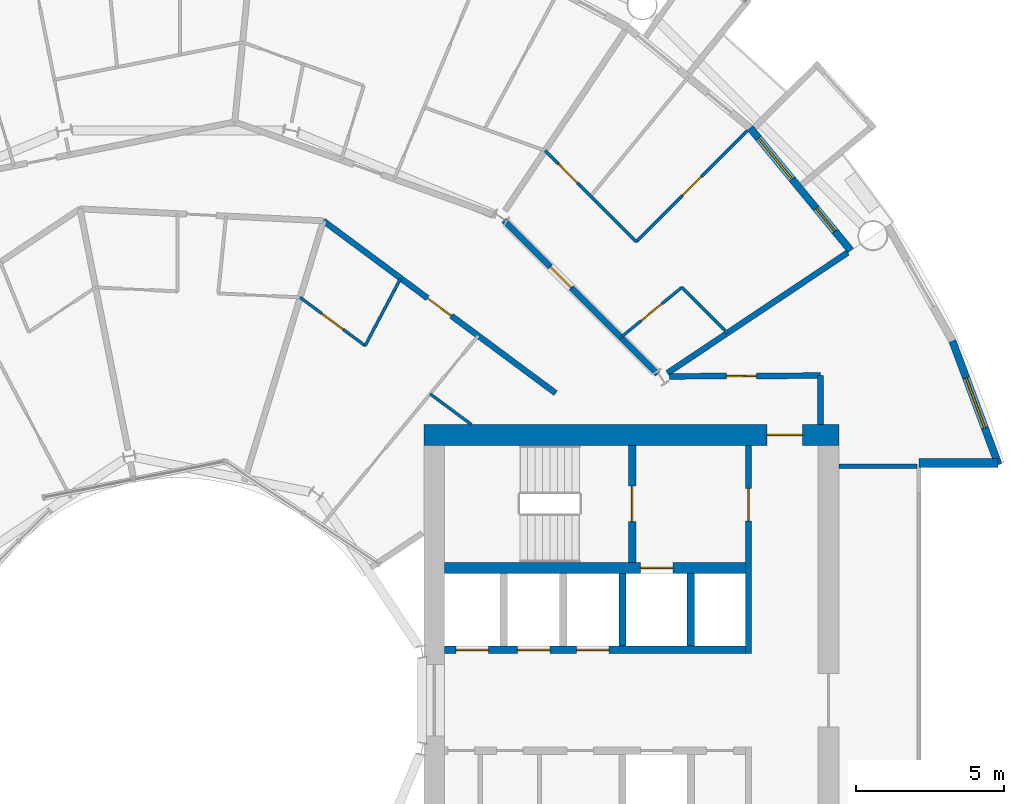
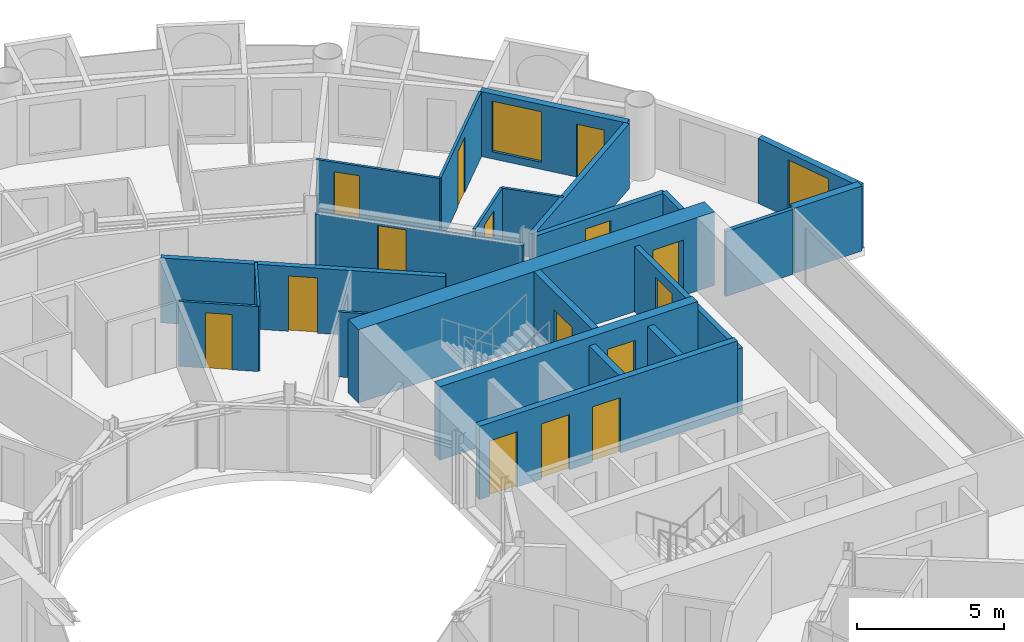
# One storey, part 21 of 26: 23 walls, 15 doors, 2 windows, 17 openings.
"""IFC4 building model written with IfcOpenShell, lengths in metres."""

from ifc_helpers import new_model, si_unit, direction, frame, frame_2d, origin, place, context, subcontext, project, spatial, rectangle, extrude, material, layer, layer_set, type_object, element, fill, save


model = new_model("IFC4")

# Units and contexts
model_context = context("Model", 3, precision=1e-05, world=origin(), true_north=direction((0.0, 1.0)))
body_context = subcontext(model_context, "Body", "Model", "MODEL_VIEW")
ifc_project = project(units=[si_unit("LENGTHUNIT", "METRE"), si_unit("AREAUNIT", "SQUARE_METRE"), si_unit("VOLUMEUNIT", "CUBIC_METRE"), si_unit("PLANEANGLEUNIT", "RADIAN"), si_unit("MASSUNIT", "GRAM", prefix="KILO")], contexts=[model_context])

# Site, building, storey
site_placement = place(None, origin())
site = spatial("IfcSite", under=ifc_project, at=site_placement, CompositionType="ELEMENT")
building_placement = place(site_placement, origin())
building = spatial("IfcBuilding", under=site, at=building_placement, Name="Maasbend Ring Residences", CompositionType="ELEMENT")
storey_placement = place(building_placement, frame((0.0, 0.0, 66.64990234375)))
storey = spatial("IfcBuildingStorey", under=building, at=storey_placement, Name="L18", CompositionType="ELEMENT", Elevation=66.64990234375)

# Wall, openings, doors
ifc_material_1 = material(Name="Concrete C70/85", Category="concrete")
ifc_layer_1 = layer(ifc_material_1, 0.25)
ifc_layer_set_1 = layer_set([ifc_layer_1], Name="Concrete C70/85")
wall_type_1 = type_object("IfcWallType", Name="CORE WALL 250 C70/85", PredefinedType="SHEAR", material=ifc_layer_set_1)
wall_1_placement = place(storey_placement, frame((9.0, 1.699951171875, 0.0), z_axis=(0.0, 0.0, 1.0), x_axis=(1.0, 0.0, 0.0)))
wall_1 = element("IfcWall", 1, at=wall_1_placement, inside=storey, type_object=wall_type_1, Name="L18 core E wall SPN", PredefinedType="SHEAR", context=body_context, shape_type="SweptSolid", body=[
    extrude(rectangle(XDim=10.14990234375, YDim=0.25, at=frame_2d((5.074951171875, 0.0))), origin(), (0.0, 0.0, 1.0), 3.050048828125),
])
opening_1_placement = place(wall_1_placement, frame((0.387451171875, 0.0, 0.0)))
opening_1 = element("IfcOpeningElement", 2, at=opening_1_placement, cuts=wall_1, Name="Opening LD-E1801", PredefinedType="OPENING", context=body_context, shape_type="SweptSolid", body=[
    extrude(rectangle(XDim=1.10009765625, YDim=2.300048828125, at=frame_2d((0.550048828125, 1.14990234375))), frame((0.0, 0.135009765625, 0.0), z_axis=(0.0, -1.0, 0.0), x_axis=(1.0, 0.0, 0.0)), (0.0, 0.0, 1.0), 0.27001953125),
])
opening_2_placement = place(wall_1_placement, frame((2.449951171875, 0.0, 0.0)))
opening_2 = element("IfcOpeningElement", 3, at=opening_2_placement, cuts=wall_1, Name="Opening LD-E1802", PredefinedType="OPENING", context=body_context, shape_type="SweptSolid", body=[
    extrude(rectangle(XDim=1.10009765625, YDim=2.300048828125, at=frame_2d((0.550048828125, 1.14990234375))), frame((0.0, 0.135009765625, 0.0), z_axis=(0.0, -1.0, 0.0), x_axis=(1.0, 0.0, 0.0)), (0.0, 0.0, 1.0), 0.27001953125),
])
opening_3_placement = place(wall_1_placement, frame((4.449951171875, 0.0, 0.0)))
opening_3 = element("IfcOpeningElement", 4, at=opening_3_placement, cuts=wall_1, Name="Opening LD-E1803", PredefinedType="OPENING", context=body_context, shape_type="SweptSolid", body=[
    extrude(rectangle(XDim=1.10009765625, YDim=2.300048828125, at=frame_2d((0.550048828125, 1.14990234375))), frame((0.0, 0.135009765625, 0.0), z_axis=(0.0, -1.0, 0.0), x_axis=(1.0, 0.0, 0.0)), (0.0, 0.0, 1.0), 0.27001953125),
])
ifc_material_2 = material(Name="Stainless steel 316", Category="steel")
door_type_1 = type_object("IfcDoorType", Name="LANDING DOOR 1100 X 2300 FD60", OperationType="DOUBLE_DOOR_SLIDING", PredefinedType="DOOR", material=ifc_material_2)
door_1_placement = place(opening_1_placement, origin())
door_1 = element("IfcDoor", 5, at=door_1_placement, inside=storey, type_object=door_type_1, Name="Landing door LR-E1 L18", OperationType="DOUBLE_DOOR_SLIDING", OverallHeight=2.300048828125, OverallWidth=1.10009765625, PredefinedType="DOOR", context=body_context, shape_type="SweptSolid", body=[
    extrude(rectangle(XDim=1.10009765625, YDim=2.300048828125, at=frame_2d((0.550048828125, 1.14990234375))), frame((0.0, 0.02490234375, 0.0), z_axis=(0.0, -1.0, 0.0), x_axis=(1.0, 0.0, 0.0)), (0.0, 0.0, 1.0), 0.050048828125),
])
fill(opening_1, door_1)
door_2_placement = place(opening_2_placement, origin())
door_2 = element("IfcDoor", 6, at=door_2_placement, inside=storey, type_object=door_type_1, Name="Landing door LR-E2 L18", OperationType="DOUBLE_DOOR_SLIDING", OverallHeight=2.300048828125, OverallWidth=1.10009765625, PredefinedType="DOOR", context=body_context, shape_type="SweptSolid", body=[
    extrude(rectangle(XDim=1.10009765625, YDim=2.300048828125, at=frame_2d((0.550048828125, 1.14990234375))), frame((0.0, 0.02490234375, 0.0), z_axis=(0.0, -1.0, 0.0), x_axis=(1.0, 0.0, 0.0)), (0.0, 0.0, 1.0), 0.050048828125),
])
fill(opening_2, door_2)
door_3_placement = place(opening_3_placement, origin())
door_3 = element("IfcDoor", 7, at=door_3_placement, inside=storey, type_object=door_type_1, Name="Landing door LR-E3 L18", OperationType="DOUBLE_DOOR_SLIDING", OverallHeight=2.300048828125, OverallWidth=1.10009765625, PredefinedType="DOOR", context=body_context, shape_type="SweptSolid", body=[
    extrude(rectangle(XDim=1.10009765625, YDim=2.300048828125, at=frame_2d((0.550048828125, 1.14990234375))), frame((0.0, 0.02490234375, 0.0), z_axis=(0.0, -1.0, 0.0), x_axis=(1.0, 0.0, 0.0)), (0.0, 0.0, 1.0), 0.050048828125),
])
fill(opening_3, door_3)

# Wall, opening, door
wall_2_placement = place(storey_placement, frame((15.324951171875, 4.64990234375, 0.0), z_axis=(0.0, 0.0, 1.0), x_axis=(0.0, 1.0, 0.0)))
wall_2 = element("IfcWall", 8, at=wall_2_placement, inside=storey, type_object=wall_type_1, Name="L18 core E wall STEN", PredefinedType="SHEAR", context=body_context, shape_type="SweptSolid", body=[
    extrude(rectangle(XDim=3.9501953125, YDim=0.25, at=frame_2d((1.97509765625, 0.0))), origin(), (0.0, 0.0, 1.0), 3.050048828125),
])
opening_4_placement = place(wall_2_placement, frame((1.375, 0.0, 0.0)))
opening_4 = element("IfcOpeningElement", 9, at=opening_4_placement, cuts=wall_2, Name="Opening D-E1811", PredefinedType="OPENING", context=body_context, shape_type="SweptSolid", body=[
    extrude(rectangle(XDim=1.199951171875, YDim=2.300048828125, at=frame_2d((0.60009765625, 1.14990234375))), frame((0.0, 0.135009765625, 0.0), z_axis=(0.0, -1.0, 0.0), x_axis=(1.0, 0.0, 0.0)), (0.0, 0.0, 1.0), 0.27001953125),
])
ifc_material_3 = material(Name="Steel, powder coated", Category="steel")
door_type_2 = type_object("IfcDoorType", Name="STAIR DOOR 1200 X 2300 FD60", OperationType="NOTDEFINED", PredefinedType="DOOR", material=ifc_material_3)
door_4_placement = place(opening_4_placement, origin())
door_4 = element("IfcDoor", 10, at=door_4_placement, inside=storey, type_object=door_type_2, Name="Stair door ST-E L18", OperationType="SINGLE_SWING_LEFT", OverallHeight=2.300048828125, OverallWidth=1.199951171875, PredefinedType="DOOR", context=body_context, shape_type="SweptSolid", body=[
    extrude(rectangle(XDim=1.199951171875, YDim=2.300048828125, at=frame_2d((0.60009765625, 1.14990234375))), frame((0.0, 0.02490234375, 0.0), z_axis=(0.0, -1.0, 0.0), x_axis=(1.0, 0.0, 0.0)), (0.0, 0.0, 1.0), 0.050048828125),
])
fill(opening_4, door_4)

ifc_material_4 = material(Name="Concrete C70/85", Category="concrete")
ifc_layer_2 = layer(ifc_material_4, 0.375)
ifc_layer_set_2 = layer_set([ifc_layer_2], Name="Concrete C70/85")
wall_type_2 = type_object("IfcWallType", Name="CORE WALL 375 C70/85", PredefinedType="SHEAR", material=ifc_layer_set_2)
wall_3_placement = place(storey_placement, frame((9.0, 4.46240234375, 0.0), z_axis=(0.0, 0.0, 1.0), x_axis=(1.0, 0.0, 0.0)))
wall_3 = element("IfcWall", 11, at=wall_3_placement, inside=storey, type_object=wall_type_2, Name="L18 core E wall BN", PredefinedType="SHEAR", context=body_context, shape_type="SweptSolid", body=[
    extrude(rectangle(XDim=10.14990234375, YDim=0.375, at=frame_2d((5.074951171875, 0.0))), origin(), (0.0, 0.0, 1.0), 3.050048828125),
])
opening_5_placement = place(wall_3_placement, frame((6.60009765625, 0.0, 0.0)))
opening_5 = element("IfcOpeningElement", 12, at=opening_5_placement, cuts=wall_3, Name="Opening LD-E1804", PredefinedType="OPENING", context=body_context, shape_type="SweptSolid", body=[
    extrude(rectangle(XDim=1.10009765625, YDim=2.300048828125, at=frame_2d((0.550048828125, 1.14990234375))), frame((0.0, 0.197509765625, 0.0), z_axis=(0.0, -1.0, 0.0), x_axis=(1.0, 0.0, 0.0)), (0.0, 0.0, 1.0), 0.39501953125),
])
door_5_placement = place(opening_5_placement, origin())
door_5 = element("IfcDoor", 13, at=door_5_placement, inside=storey, type_object=door_type_1, Name="Landing door FF-E L18", OperationType="DOUBLE_DOOR_SLIDING", OverallHeight=2.300048828125, OverallWidth=1.10009765625, PredefinedType="DOOR", context=body_context, shape_type="SweptSolid", body=[
    extrude(rectangle(XDim=1.10009765625, YDim=2.300048828125, at=frame_2d((0.550048828125, 1.14990234375))), frame((0.0, 0.02490234375, 0.0), z_axis=(0.0, -1.0, 0.0), x_axis=(1.0, 0.0, 0.0)), (0.0, 0.0, 1.0), 0.050048828125),
])
fill(opening_5, door_5)

ifc_material_5 = material(Name="Concrete C70/85", Category="concrete")
ifc_layer_3 = layer(ifc_material_5, 0.699951171875)
ifc_layer_set_3 = layer_set([ifc_layer_3], Name="Concrete C70/85")
wall_type_3 = type_object("IfcWallType", Name="CORE WALL 700 C70/85", PredefinedType="SHEAR", material=ifc_layer_set_3)
wall_4_placement = place(storey_placement, frame((22.300048828125, 8.949951171875, 0.0), z_axis=(0.0, 0.0, 1.0), x_axis=(-1.0, 0.0, 0.0)))
wall_4 = element("IfcWall", 14, at=wall_4_placement, inside=storey, type_object=wall_type_3, Name="L18 core E wall PN", PredefinedType="SHEAR", context=body_context, shape_type="SweptSolid", body=[
    extrude(rectangle(XDim=14.0, YDim=0.699951171875, at=frame_2d((7.0, 0.0))), origin(), (0.0, 0.0, 1.0), 3.050048828125),
])
opening_6_placement = place(wall_4_placement, frame((1.22509765625, 0.0, 0.0)))
opening_6 = element("IfcOpeningElement", 15, at=opening_6_placement, cuts=wall_4, Name="Opening D-E1815", PredefinedType="OPENING", context=body_context, shape_type="SweptSolid", body=[
    extrude(rectangle(XDim=1.199951171875, YDim=2.300048828125, at=frame_2d((0.60009765625, 1.14990234375))), frame((0.0, 0.35986328125, 0.0), z_axis=(0.0, -1.0, 0.0), x_axis=(1.0, 0.0, 0.0)), (0.0, 0.0, 1.0), 0.719970703125),
])
ifc_material_6 = material(Name="Steel, powder coated", Category="steel")
door_type_3 = type_object("IfcDoorType", Name="CORRIDOR DOOR 1200 X 2300 FD30S", OperationType="NOTDEFINED", PredefinedType="DOOR", material=ifc_material_6)
door_6_placement = place(opening_6_placement, origin())
door_6 = element("IfcDoor", 16, at=door_6_placement, inside=storey, type_object=door_type_3, Name="Corridor door L18", OperationType="SINGLE_SWING_RIGHT", OverallHeight=2.300048828125, OverallWidth=1.199951171875, PredefinedType="DOOR", context=body_context, shape_type="SweptSolid", body=[
    extrude(rectangle(XDim=1.199951171875, YDim=2.300048828125, at=frame_2d((0.60009765625, 1.14990234375))), frame((0.0, 0.02490234375, 0.0), z_axis=(0.0, -1.0, 0.0), x_axis=(1.0, 0.0, 0.0)), (0.0, 0.0, 1.0), 0.050048828125),
])
fill(opening_6, door_6)

# Wall
ifc_material_7 = material(Name="Concrete C30/37", Category="concrete")
ifc_layer_4 = layer(ifc_material_7, 0.199951171875)
ifc_layer_set_4 = layer_set([ifc_layer_4], Name="Concrete C30/37")
wall_type_4 = type_object("IfcWallType", Name="CORRIDOR WALL 200 CONCRETE", PredefinedType="PARTITIONING", material=ifc_layer_set_4)
wall_5_placement = place(storey_placement, frame((21.675048828125, 9.300048828125, 0.0), z_axis=(0.0, 0.0, 1.0), x_axis=(0.0, 1.0, 0.0)))
element("IfcWall", 17, at=wall_5_placement, inside=storey, type_object=wall_type_4, Name="U-L18-w006", PredefinedType="PARTITIONING", context=body_context, shape_type="SweptSolid", body=[
    extrude(rectangle(XDim=1.64990234375, YDim=0.199951171875, at=frame_2d((0.824951171875, 0.0))), origin(), (0.0, 0.0, 1.0), 2.7001953125),
])

# Wall, opening, door
wall_6_placement = place(storey_placement, frame((16.587890625, 10.925048828125, 0.0), z_axis=(0.0, 0.0, 1.0), x_axis=(0.999988019025, 0.004895079807, 0.0)))
wall_6 = element("IfcWall", 18, at=wall_6_placement, inside=storey, type_object=wall_type_4, Name="U-L18-w094", PredefinedType="PARTITIONING", context=body_context, shape_type="SweptSolid", body=[
    extrude(rectangle(XDim=5.087158203125, YDim=0.199951171875, at=frame_2d((2.54345703125, 0.0))), origin(), (0.0, 0.0, 1.0), 2.7001953125),
])
opening_7_placement = place(wall_6_placement, frame((1.925048828125, 0.0, 0.0)))
opening_7 = element("IfcOpeningElement", 19, at=opening_7_placement, cuts=wall_6, Name="Opening D-1873", PredefinedType="OPENING", context=body_context, shape_type="SweptSolid", body=[
    extrude(rectangle(XDim=1.0, YDim=2.300048828125, at=frame_2d((0.5, 1.14990234375))), frame((0.0, 0.10986328125, 0.0), z_axis=(0.0, -1.0, 0.0), x_axis=(1.0, 0.0, 0.0)), (0.0, 0.0, 1.0), 0.219970703125),
])
ifc_material_8 = material(Name="Timber, painted", Category="wood")
door_type_4 = type_object("IfcDoorType", Name="ROOM DOOR 1000 X 2300", OperationType="NOTDEFINED", PredefinedType="DOOR", material=ifc_material_8)
door_7_placement = place(opening_7_placement, origin())
door_7 = element("IfcDoor", 20, at=door_7_placement, inside=storey, type_object=door_type_4, Name="D-1873", OperationType="SINGLE_SWING_LEFT", OverallHeight=2.300048828125, OverallWidth=1.0, PredefinedType="DOOR", context=body_context, shape_type="SweptSolid", body=[
    extrude(rectangle(XDim=1.0, YDim=2.300048828125, at=frame_2d((0.5, 1.14990234375))), frame((0.0, 0.02490234375, 0.0), z_axis=(0.0, -1.0, 0.0), x_axis=(1.0, 0.0, 0.0)), (0.0, 0.0, 1.0), 0.050048828125),
])
fill(opening_7, door_7)

wall_7_placement = place(storey_placement, frame((4.906005859375, 16.172119140625, 0.0), z_axis=(0.0, 0.0, 1.0), x_axis=(0.803191461888, -0.595720971219, 0.0)))
wall_7 = element("IfcWall", 21, at=wall_7_placement, inside=storey, type_object=wall_type_4, Name="U-L18-w102", PredefinedType="PARTITIONING", context=body_context, shape_type="SweptSolid", body=[
    extrude(rectangle(XDim=9.760009765625, YDim=0.199951171875, at=frame_2d((4.8798828125, 0.0))), origin(), (0.0, 0.0, 1.0), 2.7001953125),
])
opening_8_placement = place(wall_7_placement, frame((4.3798828125, 0.0, 0.0)))
opening_8 = element("IfcOpeningElement", 22, at=opening_8_placement, cuts=wall_7, Name="Opening D-1824", PredefinedType="OPENING", context=body_context, shape_type="SweptSolid", body=[
    extrude(rectangle(XDim=1.0, YDim=2.300048828125, at=frame_2d((0.5, 1.14990234375))), frame((0.0, 0.10986328125, 0.0), z_axis=(0.0, -1.0, 0.0), x_axis=(1.0, 0.0, 0.0)), (0.0, 0.0, 1.0), 0.219970703125),
])
ifc_material_9 = material(Name="Timber, fire-rated, painted", Category="wood")
door_type_5 = type_object("IfcDoorType", Name="FLAT ENTRANCE DOOR 1000 X 2300 FIRE-RATED", OperationType="NOTDEFINED", PredefinedType="DOOR", material=ifc_material_9)
door_8_placement = place(opening_8_placement, origin())
door_8 = element("IfcDoor", 23, at=door_8_placement, inside=storey, type_object=door_type_5, Name="D-1824", OperationType="SINGLE_SWING_LEFT", OverallHeight=2.300048828125, OverallWidth=1.0, PredefinedType="DOOR", context=body_context, shape_type="SweptSolid", body=[
    extrude(rectangle(XDim=1.0, YDim=2.300048828125, at=frame_2d((0.5, 1.14990234375))), frame((0.0, 0.02490234375, 0.0), z_axis=(0.0, -1.0, 0.0), x_axis=(1.0, 0.0, 0.0)), (0.0, 0.0, 1.0), 0.050048828125),
])
fill(opening_8, door_8)

wall_8_placement = place(storey_placement, frame((11.0, 16.18603515625, 0.0), z_axis=(0.0, 0.0, 1.0), x_axis=(0.707106781187, -0.707106781187, 0.0)))
wall_8 = element("IfcWall", 24, at=wall_8_placement, inside=storey, type_object=wall_type_4, Name="U-L18-w107", PredefinedType="PARTITIONING", context=body_context, shape_type="SweptSolid", body=[
    extrude(rectangle(XDim=7.334228515625, YDim=0.199951171875, at=frame_2d((3.6669921875, 0.0))), origin(), (0.0, 0.0, 1.0), 2.380126953125),
])
opening_9_placement = place(wall_8_placement, frame((2.2109375, 0.0, 0.0)))
opening_9 = element("IfcOpeningElement", 25, at=opening_9_placement, cuts=wall_8, Name="Opening D-1801", PredefinedType="OPENING", context=body_context, shape_type="SweptSolid", body=[
    extrude(rectangle(XDim=1.0, YDim=2.300048828125, at=frame_2d((0.5, 1.14990234375))), frame((0.0, 0.10986328125, 0.0), z_axis=(0.0, -1.0, 0.0), x_axis=(1.0, 0.0, 0.0)), (0.0, 0.0, 1.0), 0.219970703125),
])
door_9_placement = place(opening_9_placement, origin())
door_9 = element("IfcDoor", 26, at=door_9_placement, inside=storey, type_object=door_type_5, Name="D-1801", OperationType="SINGLE_SWING_LEFT", OverallHeight=2.300048828125, OverallWidth=1.0, PredefinedType="DOOR", context=body_context, shape_type="SweptSolid", body=[
    extrude(rectangle(XDim=1.0, YDim=2.300048828125, at=frame_2d((0.5, 1.14990234375))), frame((0.0, 0.02490234375, 0.0), z_axis=(0.0, -1.0, 0.0), x_axis=(1.0, 0.0, 0.0)), (0.0, 0.0, 1.0), 0.050048828125),
])
fill(opening_9, door_9)

# Wall, openings, door, window
ifc_material_10 = material(Name="Aluminium clad insulated panel", Category="aluminium")
ifc_layer_5 = layer(ifc_material_10, 0.25)
ifc_layer_set_5 = layer_set([ifc_layer_5], Name="EW-GL")
wall_type_5 = type_object("IfcWallType", Name="EW-GL", PredefinedType="SOLIDWALL", material=ifc_layer_set_5)
wall_9_placement = place(storey_placement, frame((22.698974609375, 15.1669921875, 0.0), z_axis=(0.0, 0.0, 1.0), x_axis=(-0.634382322723, 0.773019449054, 0.0)))
wall_9 = element("IfcWall", 27, at=wall_9_placement, inside=storey, type_object=wall_type_5, Name="External wall N01", PredefinedType="SOLIDWALL", context=body_context, shape_type="SweptSolid", body=[
    extrude(rectangle(XDim=5.351806640625, YDim=0.25, at=frame_2d((2.67578125, 0.0))), origin(), (0.0, 0.0, 1.0), 2.7001953125),
])
opening_10_placement = place(wall_9_placement, frame((0.841064453125, 0.0, 0.0)))
opening_10 = element("IfcOpeningElement", 28, at=opening_10_placement, cuts=wall_9, Name="Opening D-LG", PredefinedType="OPENING", context=body_context, shape_type="SweptSolid", body=[
    extrude(rectangle(XDim=1.0, YDim=2.199951171875, at=frame_2d((0.5, 1.10009765625))), frame((0.0, 0.135009765625, 0.0), z_axis=(0.0, -1.0, 0.0), x_axis=(1.0, 0.0, 0.0)), (0.0, 0.0, 1.0), 0.27001953125),
])
opening_11_placement = place(wall_9_placement, frame((3.110595703125, 0.0, 0.300048828125)))
opening_11 = element("IfcOpeningElement", 29, at=opening_11_placement, cuts=wall_9, Name="Opening W-BX", PredefinedType="OPENING", context=body_context, shape_type="SweptSolid", body=[
    extrude(rectangle(XDim=1.800048828125, YDim=2.10009765625, at=frame_2d((0.89990234375, 1.050048828125))), frame((0.0, 0.135009765625, 0.0), z_axis=(0.0, -1.0, 0.0), x_axis=(1.0, 0.0, 0.0)), (0.0, 0.0, 1.0), 0.27001953125),
])
ifc_material_11 = material(Name="Aluminium and clear glass", Category="aluminium")
door_type_6 = type_object("IfcDoorType", Name="D-LG", OperationType="SINGLE_SWING_LEFT", PredefinedType="DOOR", material=ifc_material_11)
door_10_placement = place(opening_10_placement, origin())
door_10 = element("IfcDoor", 30, at=door_10_placement, inside=storey, type_object=door_type_6, Name="Loggia door N01", OperationType="SINGLE_SWING_LEFT", OverallHeight=2.199951171875, OverallWidth=1.0, PredefinedType="DOOR", context=body_context, shape_type="SweptSolid", body=[
    extrude(rectangle(XDim=1.0, YDim=2.199951171875, at=frame_2d((0.5, 1.10009765625))), frame((0.0, 0.02490234375, 0.0), z_axis=(0.0, -1.0, 0.0), x_axis=(1.0, 0.0, 0.0)), (0.0, 0.0, 1.0), 0.050048828125),
])
fill(opening_10, door_10)
ifc_material_12 = material(Name="Aluminium and clear glass", Category="aluminium")
window_type = type_object("IfcWindowType", Name="W-BX", PartitioningType="DOUBLE_PANEL_VERTICAL", PredefinedType="WINDOW", material=ifc_material_12)
window_1_placement = place(opening_11_placement, origin())
window_1 = element("IfcWindow", 31, at=window_1_placement, inside=storey, type_object=window_type, Name="Window N02 room to box", OverallHeight=2.10009765625, OverallWidth=1.800048828125, PartitioningType="SINGLE_PANEL", PredefinedType="WINDOW", context=body_context, shape_type="SweptSolid", body=[
    extrude(rectangle(XDim=1.800048828125, YDim=2.10009765625, at=frame_2d((0.89990234375, 1.050048828125))), frame((0.0, 0.030029296875, 0.0), z_axis=(0.0, -1.0, 0.0), x_axis=(1.0, 0.0, 0.0)), (0.0, 0.0, 1.0), 0.06005859375),
])
fill(opening_11, window_1)

# Wall, opening, window
ifc_material_13 = material(Name="Aluminium clad insulated panel", Category="aluminium")
ifc_layer_6 = layer(ifc_material_13, 0.25)
ifc_layer_set_6 = layer_set([ifc_layer_6], Name="EW-HORN")
wall_type_6 = type_object("IfcWallType", Name="EW-HORN", PredefinedType="SOLIDWALL", material=ifc_layer_set_6)
wall_10_placement = place(storey_placement, frame((27.681884765625, 7.945068359375, 0.0), z_axis=(0.0, 0.0, 1.0), x_axis=(-0.349247811493, 0.937030397675, 0.0)))
wall_10 = element("IfcWall", 32, at=wall_10_placement, inside=storey, type_object=wall_type_6, Name="Horn wall 1.1", PredefinedType="SOLIDWALL", context=body_context, shape_type="SweptSolid", body=[
    extrude(rectangle(XDim=4.4521484375, YDim=0.25, at=frame_2d((2.22607421875, 0.0))), origin(), (0.0, 0.0, 1.0), 2.7001953125),
])
opening_12_placement = place(wall_10_placement, frame((1.32666015625, 0.0, 0.300048828125)))
opening_12 = element("IfcOpeningElement", 33, at=opening_12_placement, cuts=wall_10, Name="Opening W-BX", PredefinedType="OPENING", context=body_context, shape_type="SweptSolid", body=[
    extrude(rectangle(XDim=1.800048828125, YDim=2.10009765625, at=frame_2d((0.89990234375, 1.050048828125))), frame((0.0, 0.135009765625, 0.0), z_axis=(0.0, -1.0, 0.0), x_axis=(1.0, 0.0, 0.0)), (0.0, 0.0, 1.0), 0.27001953125),
])
window_2_placement = place(opening_12_placement, origin())
window_2 = element("IfcWindow", 34, at=window_2_placement, inside=storey, type_object=window_type, Name="Horn window 1.1", OverallHeight=2.10009765625, OverallWidth=1.800048828125, PartitioningType="SINGLE_PANEL", PredefinedType="WINDOW", context=body_context, shape_type="SweptSolid", body=[
    extrude(rectangle(XDim=1.800048828125, YDim=2.10009765625, at=frame_2d((0.89990234375, 1.050048828125))), frame((0.0, 0.030029296875, 0.0), z_axis=(0.0, -1.0, 0.0), x_axis=(1.0, 0.0, 0.0)), (0.0, 0.0, 1.0), 0.06005859375),
])
fill(opening_12, window_2)

# Walls
ifc_material_14 = material(Name="Aluminium clad insulated panel", Category="aluminium")
ifc_layer_7 = layer(ifc_material_14, 0.300048828125)
ifc_layer_set_7 = layer_set([ifc_layer_7], Name="EW-RET")
wall_type_7 = type_object("IfcWallType", Name="EW-RET", PredefinedType="SOLIDWALL", material=ifc_layer_set_7)
wall_11_placement = place(storey_placement, frame((25.0, 8.0, 0.0), z_axis=(0.0, 0.0, 1.0), x_axis=(1.0, 0.0, 0.0)))
element("IfcWall", 35, at=wall_11_placement, inside=storey, type_object=wall_type_7, Name="Notch return wall east north", PredefinedType="SOLIDWALL", context=body_context, shape_type="SweptSolid", body=[
    extrude(rectangle(XDim=2.6669921875, YDim=0.300048828125, at=frame_2d((1.33349609375, 0.0))), origin(), (0.0, 0.0, 1.0), 2.7001953125),
])
ifc_material_15 = material(Name="Gypsum board on steel studs", Category="steel")
ifc_layer_8 = layer(ifc_material_15, 0.10009765625)
ifc_layer_set_8 = layer_set([ifc_layer_8], Name="PARTITION 100 GYPSUM")
wall_type_8 = type_object("IfcWallType", Name="PARTITION 100 GYPSUM", PredefinedType="PARTITIONING", material=ifc_layer_set_8)
wall_12_placement = place(storey_placement, frame((6.318115234375, 11.9599609375, 0.0), z_axis=(0.0, 0.0, 1.0), x_axis=(0.467001992543, 0.884256263173, 0.0)))
element("IfcWall", 36, at=wall_12_placement, inside=storey, type_object=wall_type_8, Name="U-L18-w072", PredefinedType="PARTITIONING", context=body_context, shape_type="SweptSolid", body=[
    extrude(rectangle(XDim=2.571533203125, YDim=0.10009765625, at=frame_2d((1.28564453125, 0.0))), origin(), (0.0, 0.0, 1.0), 2.7001953125),
])

# Wall, opening, door
wall_13_placement = place(storey_placement, frame((14.945068359375, 12.240966796875, 0.0), z_axis=(0.0, 0.0, 1.0), x_axis=(0.77367517848, 0.633582447834, 0.0)))
wall_13 = element("IfcWall", 37, at=wall_13_placement, inside=storey, type_object=wall_type_8, Name="U-L18-w086", PredefinedType="PARTITIONING", context=body_context, shape_type="SweptSolid", body=[
    extrude(rectangle(XDim=2.6611328125, YDim=0.10009765625, at=frame_2d((1.33056640625, 0.0))), origin(), (0.0, 0.0, 1.0), 2.7001953125),
])
opening_13_placement = place(wall_13_placement, frame((0.881103515625, 0.0, 0.0)))
opening_13 = element("IfcOpeningElement", 38, at=opening_13_placement, cuts=wall_13, Name="Opening D-1802", PredefinedType="OPENING", context=body_context, shape_type="SweptSolid", body=[
    extrude(rectangle(XDim=0.89990234375, YDim=2.300048828125, at=frame_2d((0.449951171875, 1.14990234375))), frame((0.0, 0.06005859375, 0.0), z_axis=(0.0, -1.0, 0.0), x_axis=(1.0, 0.0, 0.0)), (0.0, 0.0, 1.0), 0.1201171875),
])
ifc_material_16 = material(Name="Timber, painted", Category="wood")
door_type_7 = type_object("IfcDoorType", Name="INTERNAL DOOR 900 X 2300", OperationType="NOTDEFINED", PredefinedType="DOOR", material=ifc_material_16)
door_11_placement = place(opening_13_placement, origin())
door_11 = element("IfcDoor", 39, at=door_11_placement, inside=storey, type_object=door_type_7, Name="D-1802", OperationType="SINGLE_SWING_LEFT", OverallHeight=2.300048828125, OverallWidth=0.89990234375, PredefinedType="DOOR", context=body_context, shape_type="SweptSolid", body=[
    extrude(rectangle(XDim=0.89990234375, YDim=2.300048828125, at=frame_2d((0.449951171875, 1.14990234375))), frame((0.0, 0.02490234375, 0.0), z_axis=(0.0, -1.0, 0.0), x_axis=(1.0, 0.0, 0.0)), (0.0, 0.0, 1.0), 0.050048828125),
])
fill(opening_13, door_11)

wall_14_placement = place(storey_placement, frame((15.465087890625, 15.465087890625, 0.0), z_axis=(0.0, 0.0, 1.0), x_axis=(0.707106781187, 0.707106781187, 0.0)))
wall_14 = element("IfcWall", 40, at=wall_14_placement, inside=storey, type_object=wall_type_8, Name="U-L18-w087", PredefinedType="PARTITIONING", context=body_context, shape_type="SweptSolid", body=[
    extrude(rectangle(XDim=5.3046875, YDim=0.10009765625, at=frame_2d((2.65234375, 0.0))), origin(), (0.0, 0.0, 1.0), 2.7001953125),
])
opening_14_placement = place(wall_14_placement, frame((2.201904296875, 0.0, 0.0)))
opening_14 = element("IfcOpeningElement", 41, at=opening_14_placement, cuts=wall_14, Name="Opening D-1803", PredefinedType="OPENING", context=body_context, shape_type="SweptSolid", body=[
    extrude(rectangle(XDim=0.89990234375, YDim=2.300048828125, at=frame_2d((0.449951171875, 1.14990234375))), frame((0.0, 0.06005859375, 0.0), z_axis=(0.0, -1.0, 0.0), x_axis=(1.0, 0.0, 0.0)), (0.0, 0.0, 1.0), 0.1201171875),
])
door_12_placement = place(opening_14_placement, origin())
door_12 = element("IfcDoor", 42, at=door_12_placement, inside=storey, type_object=door_type_7, Name="D-1803", OperationType="SINGLE_SWING_RIGHT", OverallHeight=2.300048828125, OverallWidth=0.89990234375, PredefinedType="DOOR", context=body_context, shape_type="SweptSolid", body=[
    extrude(rectangle(XDim=0.89990234375, YDim=2.300048828125, at=frame_2d((0.449951171875, 1.14990234375))), frame((0.0, 0.02490234375, 0.0), z_axis=(0.0, -1.0, 0.0), x_axis=(1.0, 0.0, 0.0)), (0.0, 0.0, 1.0), 0.050048828125),
])
fill(opening_14, door_12)

wall_15_placement = place(storey_placement, frame((4.1220703125, 13.589111328125, 0.0), z_axis=(0.0, 0.0, 1.0), x_axis=(0.803128348509, -0.595806055542, 0.0)))
wall_15 = element("IfcWall", 43, at=wall_15_placement, inside=storey, type_object=wall_type_8, Name="U-L18-w097", PredefinedType="PARTITIONING", context=body_context, shape_type="SweptSolid", body=[
    extrude(rectangle(XDim=2.734375, YDim=0.10009765625, at=frame_2d((1.3671875, 0.0))), origin(), (0.0, 0.0, 1.0), 2.7001953125),
])
opening_15_placement = place(wall_15_placement, frame((0.9169921875, 0.0, 0.0)))
opening_15 = element("IfcOpeningElement", 44, at=opening_15_placement, cuts=wall_15, Name="Opening D-1825", PredefinedType="OPENING", context=body_context, shape_type="SweptSolid", body=[
    extrude(rectangle(XDim=0.89990234375, YDim=2.300048828125, at=frame_2d((0.449951171875, 1.14990234375))), frame((0.0, 0.06005859375, 0.0), z_axis=(0.0, -1.0, 0.0), x_axis=(1.0, 0.0, 0.0)), (0.0, 0.0, 1.0), 0.1201171875),
])
door_13_placement = place(opening_15_placement, origin())
door_13 = element("IfcDoor", 45, at=door_13_placement, inside=storey, type_object=door_type_7, Name="D-1825", OperationType="SINGLE_SWING_LEFT", OverallHeight=2.300048828125, OverallWidth=0.89990234375, PredefinedType="DOOR", context=body_context, shape_type="SweptSolid", body=[
    extrude(rectangle(XDim=0.89990234375, YDim=2.300048828125, at=frame_2d((0.449951171875, 1.14990234375))), frame((0.0, 0.02490234375, 0.0), z_axis=(0.0, -1.0, 0.0), x_axis=(1.0, 0.0, 0.0)), (0.0, 0.0, 1.0), 0.050048828125),
])
fill(opening_15, door_13)

# Wall
wall_16_placement = place(storey_placement, frame((8.511962890625, 10.33203125, 0.0), z_axis=(0.0, 0.0, 1.0), x_axis=(0.803135014325, -0.595797070121, 0.0)))
element("IfcWall", 46, at=wall_16_placement, inside=storey, type_object=wall_type_8, Name="U-L18-w098", PredefinedType="PARTITIONING", context=body_context, shape_type="SweptSolid", body=[
    extrude(rectangle(XDim=1.732177734375, YDim=0.10009765625, at=frame_2d((0.8662109375, 0.0))), origin(), (0.0, 0.0, 1.0), 2.7001953125),
])

# Wall, opening, door
wall_17_placement = place(storey_placement, frame((12.388916015625, 18.5419921875, 0.0), z_axis=(0.0, 0.0, 1.0), x_axis=(0.707022606819, -0.707190945535, 0.0)))
wall_17 = element("IfcWall", 47, at=wall_17_placement, inside=storey, type_object=wall_type_8, Name="U-L18-w116", PredefinedType="PARTITIONING", context=body_context, shape_type="SweptSolid", body=[
    extrude(rectangle(XDim=4.350830078125, YDim=0.10009765625, at=frame_2d((2.17529296875, 0.0))), origin(), (0.0, 0.0, 1.0), 2.7001953125),
])
opening_16_placement = place(wall_17_placement, frame((0.638916015625, 0.0, 0.0)))
opening_16 = element("IfcOpeningElement", 48, at=opening_16_placement, cuts=wall_17, Name="Opening D-1804", PredefinedType="OPENING", context=body_context, shape_type="SweptSolid", body=[
    extrude(rectangle(XDim=0.89990234375, YDim=2.300048828125, at=frame_2d((0.449951171875, 1.14990234375))), frame((0.0, 0.06005859375, 0.0), z_axis=(0.0, -1.0, 0.0), x_axis=(1.0, 0.0, 0.0)), (0.0, 0.0, 1.0), 0.1201171875),
])
door_14_placement = place(opening_16_placement, origin())
door_14 = element("IfcDoor", 49, at=door_14_placement, inside=storey, type_object=door_type_7, Name="D-1804", OperationType="SINGLE_SWING_LEFT", OverallHeight=2.300048828125, OverallWidth=0.89990234375, PredefinedType="DOOR", context=body_context, shape_type="SweptSolid", body=[
    extrude(rectangle(XDim=0.89990234375, YDim=2.300048828125, at=frame_2d((0.449951171875, 1.14990234375))), frame((0.0, 0.02490234375, 0.0), z_axis=(0.0, -1.0, 0.0), x_axis=(1.0, 0.0, 0.0)), (0.0, 0.0, 1.0), 0.050048828125),
])
fill(opening_16, door_14)

# Walls
wall_18_placement = place(storey_placement, frame((17.006103515625, 13.924072265625, 0.0), z_axis=(0.0, 0.0, 1.0), x_axis=(0.706826194425, -0.707387256653, 0.0)))
element("IfcWall", 50, at=wall_18_placement, inside=storey, type_object=wall_type_8, Name="U-L18-w117", PredefinedType="PARTITIONING", context=body_context, shape_type="SweptSolid", body=[
    extrude(rectangle(XDim=2.17578125, YDim=0.10009765625, at=frame_2d((1.087890625, 0.0))), origin(), (0.0, 0.0, 1.0), 2.7001953125),
])
ifc_material_17 = material(Name="Gypsum board on steel studs", Category="steel")
ifc_layer_9 = layer(ifc_material_17, 0.14990234375)
ifc_layer_set_9 = layer_set([ifc_layer_9], Name="PARTITION 150 EI 60")
wall_type_9 = type_object("IfcWallType", Name="PARTITION 150 EI 60", PredefinedType="PARTITIONING", material=ifc_layer_set_9)
wall_19_placement = place(storey_placement, frame((22.300048828125, 7.89990234375, 0.0), z_axis=(0.0, 0.0, 1.0), x_axis=(1.0, 0.0, 0.0)))
element("IfcWall", 51, at=wall_19_placement, inside=storey, type_object=wall_type_9, Name="L18 core E wall CITN", PredefinedType="PARTITIONING", context=body_context, shape_type="SweptSolid", body=[
    extrude(rectangle(XDim=2.639892578125, YDim=0.14990234375, at=frame_2d((1.31982421875, 0.0))), origin(), (0.0, 0.0, 1.0), 2.7001953125),
])
ifc_material_18 = material(Name="Concrete C30/37", Category="concrete")
ifc_layer_10 = layer(ifc_material_18, 0.199951171875)
ifc_layer_set_10 = layer_set([ifc_layer_10], Name="Concrete C30/37")
wall_type_10 = type_object("IfcWallType", Name="PARTY WALL 200 CONCRETE", PredefinedType="PARTITIONING", material=ifc_layer_set_10)
wall_20_placement = place(storey_placement, frame((16.514892578125, 11.033935546875, 0.0), z_axis=(0.0, 0.0, 1.0), x_axis=(0.831382022135, 0.555701298605, 0.0)))
element("IfcWall", 52, at=wall_20_placement, inside=storey, type_object=wall_type_10, Name="U-L18-w089", PredefinedType="PARTITIONING", context=body_context, shape_type="SweptSolid", body=[
    extrude(rectangle(XDim=7.313232421875, YDim=0.199951171875, at=frame_2d((3.65673828125, 0.0))), origin(), (0.0, 0.0, 1.0), 2.7001953125),
])

# Wall, opening, door
ifc_material_19 = material(Name="Concrete C30/37", Category="concrete")
ifc_layer_11 = layer(ifc_material_19, 0.199951171875)
ifc_layer_set_11 = layer_set([ifc_layer_11], Name="Concrete C30/37")
wall_type_11 = type_object("IfcWallType", Name="SHAFT WALL 200 EI 120", PredefinedType="SOLIDWALL", material=ifc_layer_set_11)
wall_21_placement = place(storey_placement, frame((19.25, 1.574951171875, 0.0), z_axis=(0.0, 0.0, 1.0), x_axis=(0.0, 1.0, 0.0)))
wall_21 = element("IfcWall", 53, at=wall_21_placement, inside=storey, type_object=wall_type_11, Name="L18 core E wall ENDN", PredefinedType="SOLIDWALL", context=body_context, shape_type="SweptSolid", body=[
    extrude(rectangle(XDim=7.025146484375, YDim=0.199951171875, at=frame_2d((3.5126953125, 0.0))), origin(), (0.0, 0.0, 1.0), 2.7001953125),
])
opening_17_placement = place(wall_21_placement, frame((4.47509765625, 0.0, 0.0)))
opening_17 = element("IfcOpeningElement", 54, at=opening_17_placement, cuts=wall_21, Name="Opening D-E1813", PredefinedType="OPENING", context=body_context, shape_type="SweptSolid", body=[
    extrude(rectangle(XDim=1.10009765625, YDim=2.300048828125, at=frame_2d((0.550048828125, 1.14990234375))), frame((0.0, 0.10986328125, 0.0), z_axis=(0.0, -1.0, 0.0), x_axis=(1.0, 0.0, 0.0)), (0.0, 0.0, 1.0), 0.219970703125),
])
ifc_material_20 = material(Name="Steel, powder coated", Category="steel")
door_type_8 = type_object("IfcDoorType", Name="LOBBY DOOR 1100 X 2300 FD60", OperationType="NOTDEFINED", PredefinedType="DOOR", material=ifc_material_20)
door_15_placement = place(opening_17_placement, origin())
door_15 = element("IfcDoor", 55, at=door_15_placement, inside=storey, type_object=door_type_8, Name="Lobby door L18", OperationType="SINGLE_SWING_LEFT", OverallHeight=2.300048828125, OverallWidth=1.10009765625, PredefinedType="DOOR", context=body_context, shape_type="SweptSolid", body=[
    extrude(rectangle(XDim=1.10009765625, YDim=2.300048828125, at=frame_2d((0.550048828125, 1.14990234375))), frame((0.0, 0.02490234375, 0.0), z_axis=(0.0, -1.0, 0.0), x_axis=(1.0, 0.0, 0.0)), (0.0, 0.0, 1.0), 0.050048828125),
])
fill(opening_17, door_15)

# Walls
ifc_material_21 = material(Name="Concrete C30/37", Category="concrete")
ifc_layer_12 = layer(ifc_material_21, 0.25)
ifc_layer_set_12 = layer_set([ifc_layer_12], Name="Concrete C30/37")
wall_type_12 = type_object("IfcWallType", Name="SHAFT WALL 250 EI 120", PredefinedType="SOLIDWALL", material=ifc_layer_set_12)
for number, where, z_axis, x_axis, name in (
    (56, (15.0, 1.824951171875, 0.0), (0.0, 0.0, 1.0), (0.0, 1.0, 0.0), "L18 core E wall D150N"),
    (57, (17.300048828125, 1.824951171875, 0.0), (0.0, 0.0, 1.0), (0.0, 1.0, 0.0), "L18 core E wall D173N"),
):
    element("IfcWall", number, at=place(storey_placement, frame(where, z_axis=z_axis, x_axis=x_axis)), inside=storey, type_object=wall_type_12, Name=name, PredefinedType="SOLIDWALL", context=body_context, shape_type="SweptSolid", body=[
        extrude(rectangle(XDim=2.449951171875, YDim=0.25, at=frame_2d((1.22509765625, 0.0))), origin(), (0.0, 0.0, 1.0), 2.7001953125),
    ])

save(model, "model.ifc")
